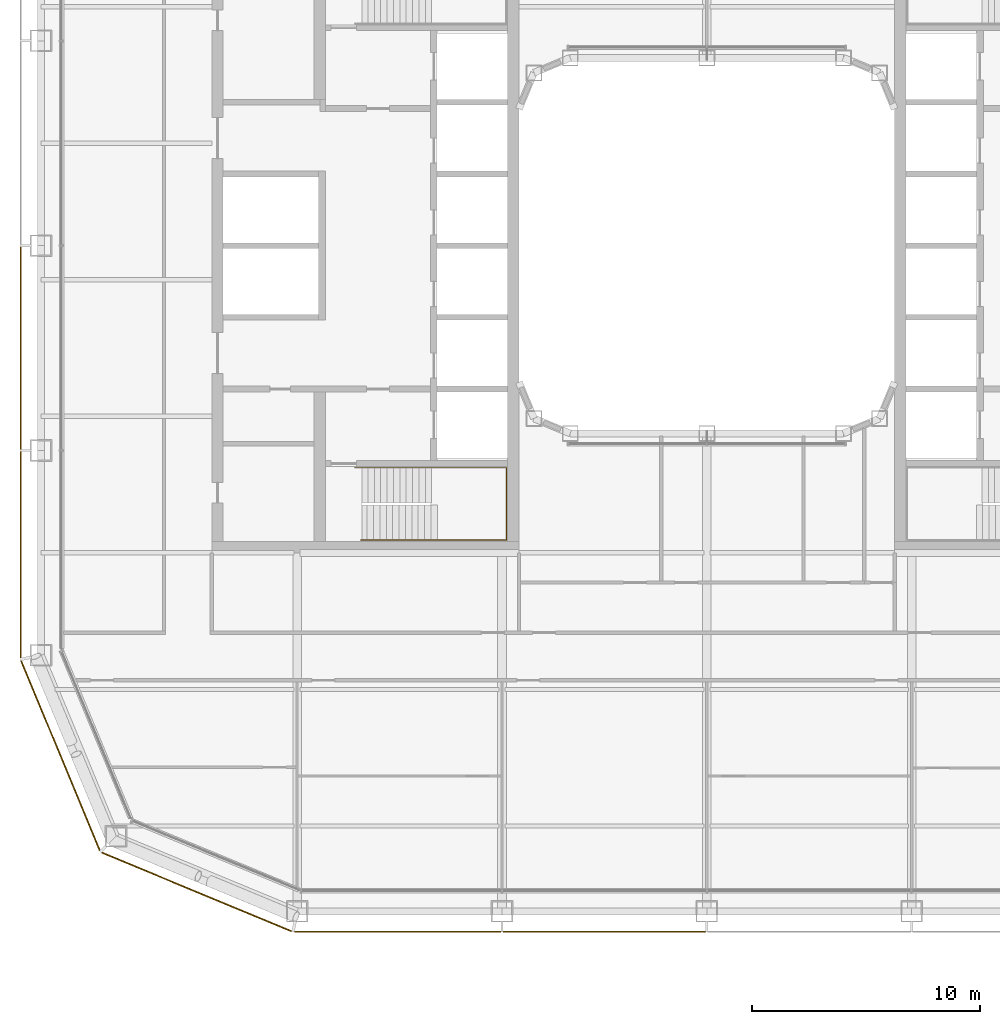
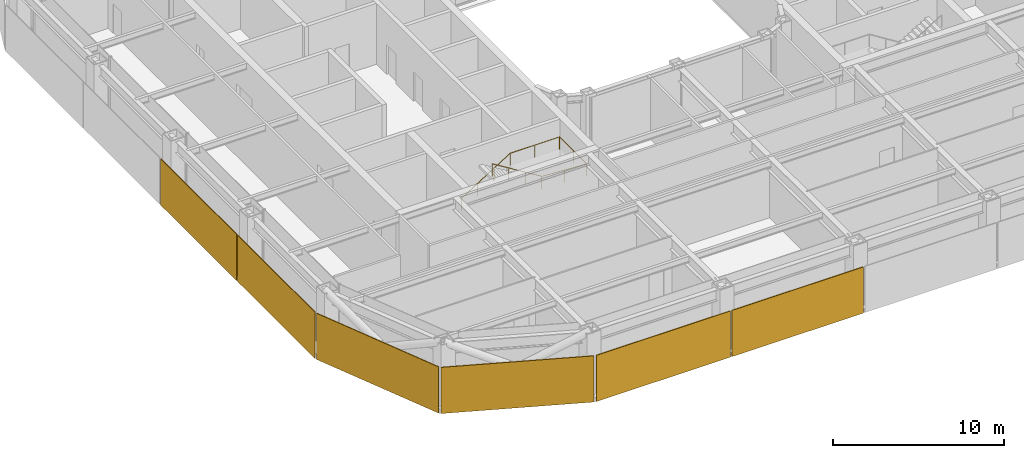
# One storey, part 18 of 23: 6 coverings, 1 railing.
"""IFC4 building model written with IfcOpenShell, lengths in metres."""

from ifc_helpers import new_model, si_unit, direction, frame, origin, origin_2d, place, context, subcontext, project, spatial, rectangle, circle, extrude, material, layer, layer_set, type_object, element, save


model = new_model("IFC4")

# Units and contexts
model_context = context("Model", 3, precision=1e-05, world=origin(), true_north=direction((0.0, 1.0)))
body_context = subcontext(model_context, "Body", "Model", "MODEL_VIEW")
ifc_project = project(units=[si_unit("LENGTHUNIT", "METRE"), si_unit("AREAUNIT", "SQUARE_METRE"), si_unit("VOLUMEUNIT", "CUBIC_METRE"), si_unit("PLANEANGLEUNIT", "RADIAN"), si_unit("MASSUNIT", "GRAM", prefix="KILO")], contexts=[model_context])

# Site, building, storey
site_placement = place(None, origin())
site = spatial("IfcSite", under=ifc_project, at=site_placement, CompositionType="ELEMENT")
building_placement = place(site_placement, origin())
building = spatial("IfcBuilding", under=site, at=building_placement, Name="Siwar Civic Tower", CompositionType="ELEMENT")
storey_placement = place(building_placement, frame((0.0, 0.0, 109.199951171875)))
storey = spatial("IfcBuildingStorey", under=building, at=storey_placement, Name="L23", CompositionType="ELEMENT", Elevation=109.199951171875)

# Railing
ifc_material_1 = material(Name="Stainless steel", Category="steel")
railing_type = type_object("IfcRailingType", Name="CORE-STAIR-HANDRAIL", PredefinedType="HANDRAIL", material=ifc_material_1)
railing_placement = place(storey_placement, frame((-15.449951171875, -9.758056640625, 0.173095703125)))
element("IfcRailing", 1, at=railing_placement, inside=storey, type_object=railing_type, Name="Stair handrail ST2", PredefinedType="HANDRAIL", context=body_context, shape_type="SweptSolid", body=[
    extrude(circle(Radius=0.02001953125, at=origin_2d()), frame((0.0, 0.0, 0.8798828125), z_axis=(0.847063342986, 0.0, 0.531491950051), x_axis=(0.0, 1.0, 0.0)), (0.0, 0.0, 1.0), 3.90771484375),
    extrude(circle(Radius=0.02001953125, at=origin_2d()), frame((3.31005859375, 0.0, 2.956787109375), z_axis=(1.0, 0.0, 0.0), x_axis=(0.0, 1.0, 0.0)), (0.0, 0.0, 1.0), 3.331787109375),
    extrude(circle(Radius=0.02001953125, at=origin_2d()), frame((6.641845703125, 0.0, 2.956787109375), z_axis=(0.0, -1.0, 0.0), x_axis=(1.0, 0.0, 0.0)), (0.0, 0.0, 1.0), 3.183837890625),
    extrude(circle(Radius=0.02001953125, at=origin_2d()), frame((6.641845703125, -3.183837890625, 2.956787109375), z_axis=(-0.99837434197, 0.0, 0.056997134106), x_axis=(0.0, -1.0, 0.0)), (0.0, 0.0, 1.0), 3.036865234375),
    extrude(circle(Radius=0.02001953125, at=origin_2d()), frame((3.60986328125, -3.183837890625, 3.1298828125), z_axis=(-0.850606129759, 0.0, 0.525803396734), x_axis=(0.0, -1.0, 0.0)), (0.0, 0.0, 1.0), 3.949951171875),
    extrude(circle(Radius=0.02001953125, at=origin_2d()), origin(), (0.0, 0.0, 1.0), 0.85986328125),
    extrude(circle(Radius=0.02001953125, at=origin_2d()), frame((1.103271484375, 0.0, 0.6923828125)), (0.0, 0.0, 1.0), 0.85986328125),
    extrude(circle(Radius=0.02001953125, at=origin_2d()), frame((2.206787109375, 0.0, 1.384521484375)), (0.0, 0.0, 1.0), 0.85986328125),
    extrude(circle(Radius=0.02001953125, at=origin_2d()), frame((3.31005859375, 0.0, 2.076904296875)), (0.0, 0.0, 1.0), 0.85986328125),
    extrude(circle(Radius=0.02001953125, at=origin_2d()), frame((4.97607421875, 0.0, 2.076904296875)), (0.0, 0.0, 1.0), 0.85986328125),
    extrude(circle(Radius=0.02001953125, at=origin_2d()), frame((6.641845703125, 0.0, 2.076904296875)), (0.0, 0.0, 1.0), 0.85986328125),
    extrude(circle(Radius=0.02001953125, at=origin_2d()), frame((6.641845703125, -1.591796875, 2.076904296875)), (0.0, 0.0, 1.0), 0.85986328125),
    extrude(circle(Radius=0.02001953125, at=origin_2d()), frame((6.641845703125, -3.183837890625, 2.076904296875)), (0.0, 0.0, 1.0), 0.85986328125),
    extrude(circle(Radius=0.02001953125, at=origin_2d()), frame((5.1259765625, -3.183837890625, 2.16357421875)), (0.0, 0.0, 1.0), 0.85986328125),
    extrude(circle(Radius=0.02001953125, at=origin_2d()), frame((3.60986328125, -3.183837890625, 2.25)), (0.0, 0.0, 1.0), 0.85986328125),
    extrude(circle(Radius=0.02001953125, at=origin_2d()), frame((2.489990234375, -3.183837890625, 2.9423828125)), (0.0, 0.0, 1.0), 0.85986328125),
    extrude(circle(Radius=0.02001953125, at=origin_2d()), frame((1.369873046875, -3.183837890625, 3.634521484375)), (0.0, 0.0, 1.0), 0.85986328125),
    extrude(circle(Radius=0.02001953125, at=origin_2d()), frame((0.25, -3.183837890625, 4.326904296875)), (0.0, 0.0, 1.0), 0.85986328125),
])

# Coverings
ifc_material_2 = material(Name="Perforated aluminium cassette, pale metal", Category="aluminium")
ifc_layer_1 = layer(ifc_material_2, 0.050048828125)
ifc_layer_set_1 = layer_set([ifc_layer_1], Name="Perforated aluminium cassette, pale metal")
covering_type_1 = type_object("IfcCoveringType", Name="ENV-OUTER SKIN OS-3", PredefinedType="CLADDING", material=ifc_layer_set_1)
covering_1_placement = place(storey_placement, frame((-30.14990234375, -4.5, -0.14990234375), z_axis=(0.0, 0.0, 1.0), x_axis=(0.0, -1.0, 0.0)))
element("IfcCovering", 2, at=covering_1_placement, inside=storey, type_object=covering_type_1, Name="OUTER SKIN OS-3 W 3", PredefinedType="CLADDING", context=body_context, shape_type="SweptSolid", body=[
    extrude(rectangle(XDim=8.89990234375, YDim=0.050048828125, at=origin_2d()), origin(), (0.0, 0.0, 1.0), 3.300048828125),
])
covering_2_placement = place(storey_placement, frame((-30.14990234375, -13.57958984375, -0.14990234375), z_axis=(0.0, 0.0, 1.0), x_axis=(0.0, -1.0, 0.0)))
element("IfcCovering", 3, at=covering_2_placement, inside=storey, type_object=covering_type_1, Name="OUTER SKIN OS-3 W 4", PredefinedType="CLADDING", context=body_context, shape_type="SweptSolid", body=[
    extrude(rectangle(XDim=9.05908203125, YDim=0.050048828125, at=origin_2d()), origin(), (0.0, 0.0, 1.0), 3.300048828125),
])
ifc_material_3 = material(Name="Perforated aluminium cassette, pale metal", Category="aluminium")
ifc_layer_2 = layer(ifc_material_3, 0.054931640625)
ifc_layer_set_2 = layer_set([ifc_layer_2], Name="Perforated aluminium cassette, pale metal")
covering_type_2 = type_object("IfcCoveringType", Name="ENV-OUTER SKIN OS-4", PredefinedType="CLADDING", material=ifc_layer_set_2)
covering_3_placement = place(storey_placement, frame((-13.57958984375, -30.14990234375, -0.14990234375), z_axis=(0.0, 0.0, 1.0), x_axis=(1.0, 0.0, 0.0)))
element("IfcCovering", 4, at=covering_3_placement, inside=storey, type_object=covering_type_2, Name="OUTER SKIN OS-4 S 1", PredefinedType="CLADDING", context=body_context, shape_type="SweptSolid", body=[
    extrude(rectangle(XDim=9.05908203125, YDim=0.054931640625, at=origin_2d()), origin(), (0.0, 0.0, 1.0), 3.300048828125),
])
covering_4_placement = place(storey_placement, frame((-4.5, -30.14990234375, -0.14990234375), z_axis=(0.0, 0.0, 1.0), x_axis=(1.0, 0.0, 0.0)))
element("IfcCovering", 5, at=covering_4_placement, inside=storey, type_object=covering_type_2, Name="OUTER SKIN OS-4 S 2", PredefinedType="CLADDING", context=body_context, shape_type="SweptSolid", body=[
    extrude(rectangle(XDim=8.89990234375, YDim=0.054931640625, at=origin_2d()), origin(), (0.0, 0.0, 1.0), 3.300048828125),
])
for number, where, z_axis, x_axis, name in (
    (6, (-28.39697265625, -22.411376953125, -0.14990234375), (0.0, 0.0, 1.0), (0.382683432365, -0.923879532511, 0.0), "OUTER SKIN OS-4 SW1 1"),
    (7, (-22.411376953125, -28.39697265625, -0.14990234375), (0.0, 0.0, 1.0), (0.923879532511, -0.382683432365, 0.0), "OUTER SKIN OS-4 SW2 1"),
):
    element("IfcCovering", number, at=place(storey_placement, frame(where, z_axis=z_axis, x_axis=x_axis)), inside=storey, type_object=covering_type_2, Name=name, PredefinedType="CLADDING", context=body_context, shape_type="SweptSolid", body=[
        extrude(rectangle(XDim=9.022216796875, YDim=0.054931640625, at=origin_2d()), origin(), (0.0, 0.0, 1.0), 3.300048828125),
    ])

save(model, "model.ifc")
